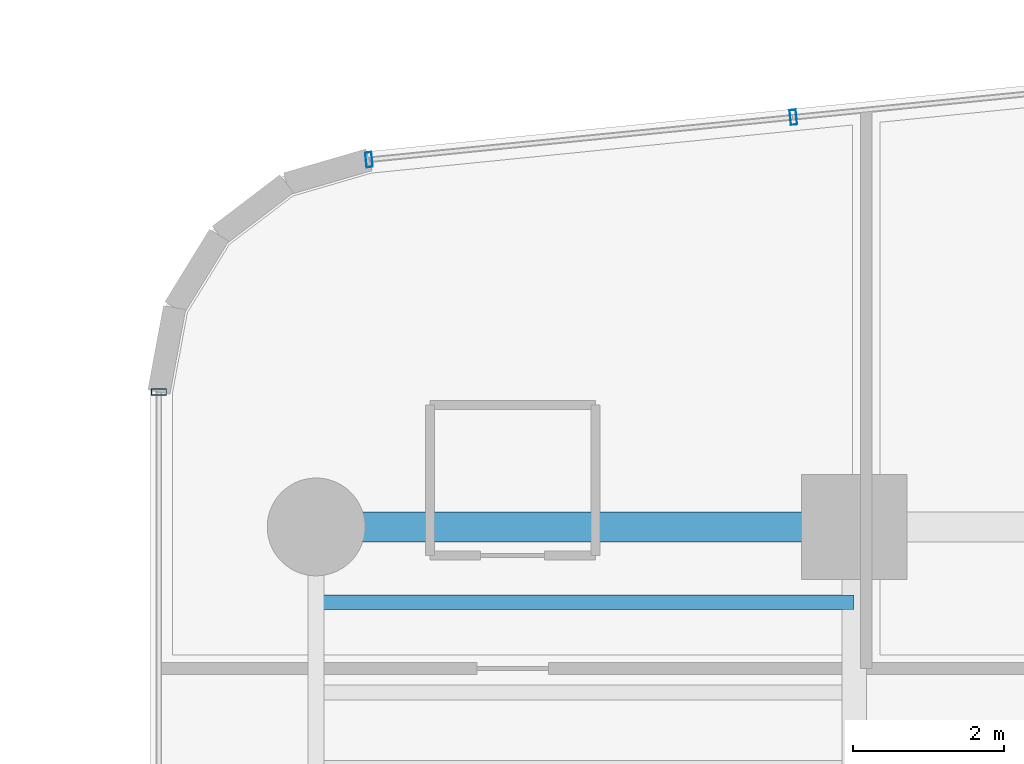
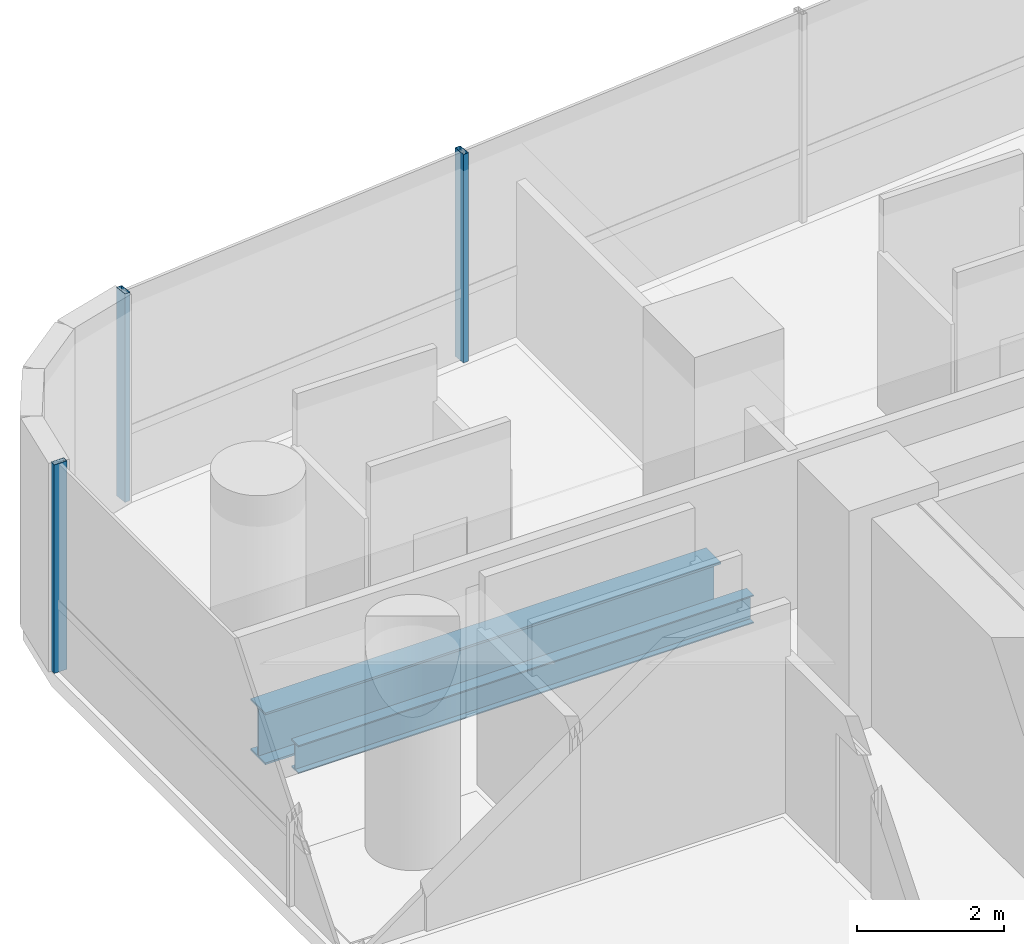
# One storey, part 18 of 40: 3 members, 2 beams, 2 elements without a shape of their own.
"""IFC4 building model written with IfcOpenShell, lengths in metres."""

from ifc_helpers import new_model, si_unit, direction, frame, origin, origin_2d, place, context, subcontext, project, spatial, hollow_rectangle, i_section, extrude, source, transform, mapped, material, material_profile, profile_set, type_object, element, aggregate, save


model = new_model("IFC4")

# Units and contexts
model_context = context("Model", 3, precision=1e-05, world=origin(), true_north=direction((0.0, 1.0)))
body_context = subcontext(model_context, "Body", "Model", "MODEL_VIEW")
ifc_project = project(units=[si_unit("LENGTHUNIT", "METRE"), si_unit("AREAUNIT", "SQUARE_METRE"), si_unit("VOLUMEUNIT", "CUBIC_METRE"), si_unit("PLANEANGLEUNIT", "RADIAN"), si_unit("MASSUNIT", "GRAM", prefix="KILO")], contexts=[model_context])

# Site, building, storey
site_placement = place(None, origin())
site = spatial("IfcSite", under=ifc_project, at=site_placement, CompositionType="ELEMENT")
building_placement = place(site_placement, origin())
building = spatial("IfcBuilding", under=site, at=building_placement, Name="Valdorenza Pilgrim Sanctuary Tower", CompositionType="ELEMENT")
storey_placement = place(building_placement, frame((0.0, 0.0, 92.60009765625)))
storey = spatial("IfcBuildingStorey", under=building, at=storey_placement, Name="L23", CompositionType="ELEMENT", Elevation=92.60009765625)

# Beams
ifc_material_1 = material(Name="Steel ASTM A992 Grade 50", Category="steel")
ifc_material_profile_1 = material_profile(ifc_material_1, i_section(OverallWidth=0.193115234375, OverallDepth=0.466064453125, WebThickness=0.011474609375, FlangeThickness=0.01904296875, at=origin_2d()), Name="W18X65")
ifc_profile_set_1 = profile_set([ifc_material_profile_1], Name="Steel ASTM A992 Grade 50")
beam_type_1 = type_object("IfcBeamType", Name="STR-BM-JST-W18A", PredefinedType="JOIST", material=ifc_profile_set_1)
shared_shape_1 = source(origin(), body_context, "Body", "SweptSolid", [
    extrude(i_section(OverallWidth=0.193115234375, OverallDepth=0.466064453125, WebThickness=0.011474609375, FlangeThickness=0.01904296875, at=origin_2d()), origin(), (0.0, 0.0, 1.0), 7.150146484375),
])
beam_1_placement = place(storey_placement, frame((-29.800048828125, 13.800048828125, -0.47314453125), z_axis=(1.0, 0.0, 0.0), x_axis=(0.0, 1.0, 0.0)))
element("IfcBeam", 1, at=beam_1_placement, inside=storey, type_object=beam_type_1, Name="L23 Composite Floor Joist JST-WA-26", PredefinedType="JOIST", context=body_context, shape_type="MappedRepresentation", body=[
    mapped(shared_shape_1, transform((0.0, 0.0, 0.0), x_axis=(1.0, 0.0, 0.0), y_axis=(0.0, 1.0, 0.0), z_axis=(0.0, 0.0, 1.0), scale=1.0)),
])
ifc_material_profile_2 = material_profile(ifc_material_1, i_section(OverallWidth=0.39990234375, OverallDepth=0.862060546875, WebThickness=0.019775390625, FlangeThickness=0.032470703125, at=origin_2d()), Name="W33X221")
ifc_profile_set_2 = profile_set([ifc_material_profile_2], Name="Steel ASTM A992 Grade 50")
beam_type_2 = type_object("IfcBeamType", Name="STR-BM-GRD-W33", PredefinedType="BEAM", material=ifc_profile_set_2)
shared_shape_2 = source(origin(), body_context, "Body", "SweptSolid", [
    extrude(i_section(OverallWidth=0.39990234375, OverallDepth=0.862060546875, WebThickness=0.019775390625, FlangeThickness=0.032470703125, at=origin_2d()), origin(), (0.0, 0.0, 1.0), 7.150146484375),
])
beam_2_placement = place(storey_placement, frame((-29.800048828125, 14.800048828125, -0.671142578125), z_axis=(1.0, 0.0, 0.0), x_axis=(0.0, 1.0, 0.0)))
element("IfcBeam", 2, at=beam_2_placement, inside=storey, type_object=beam_type_2, Name="L23 Floor Girder WA-XW-N2", PredefinedType="BEAM", context=body_context, shape_type="MappedRepresentation", body=[
    mapped(shared_shape_2, transform((0.0, 0.0, 0.0), x_axis=(1.0, 0.0, 0.0), y_axis=(0.0, 1.0, 0.0), z_axis=(0.0, 0.0, 1.0), scale=1.0)),
])

# Curtain wall, member
ifc_material_2 = material(Name="Curtain-wall IGU glazing", Category="glass")
curtain_wall_type = type_object("IfcCurtainWallType", Name="CW-SYS-02", PredefinedType="NOTDEFINED", material=ifc_material_2)
curtain_wall_1_placement = place(storey_placement, origin())
curtain_wall_1 = element("IfcCurtainWall", 3, at=curtain_wall_1_placement, inside=storey, type_object=curtain_wall_type, Name="L23 Curtain Wall CW-L23-1-1S2", PredefinedType="NOTDEFINED")
ifc_material_3 = material(Name="Anodised aluminium AW-6060", Category="aluminium")
ifc_material_profile_3 = material_profile(ifc_material_3, hollow_rectangle(XDim=0.0849609375, YDim=0.199951171875, WallThickness=0.0048828125, at=origin_2d()), Name="ALU-M 200x85x5")
ifc_profile_set_3 = profile_set([ifc_material_profile_3], Name="Anodised aluminium AW-6060")
member_type = type_object("IfcMemberType", Name="CW-MUL-02", PredefinedType="MULLION", material=ifc_profile_set_3)
shared_shape_3 = source(origin(), body_context, "Body", "SweptSolid", [
    extrude(hollow_rectangle(XDim=0.0849609375, YDim=0.199951171875, WallThickness=0.0048828125, at=origin_2d()), origin(), (0.0, 0.0, 1.0), 3.4599609375),
])
member_1_placement = place(storey_placement, frame((-31.889892578125, 16.593994140625, 0.0), z_axis=(0.0, 0.0, 1.0), x_axis=(0.0, 1.0, 0.0)))
member_1 = element("IfcMember", 4, at=member_1_placement, type_object=member_type, Name="CW-L23-1-1S2 Mullion 4", PredefinedType="MULLION", context=body_context, shape_type="MappedRepresentation", body=[
    mapped(shared_shape_3, transform((0.0, 0.0, 0.0), x_axis=(1.0, 0.0, 0.0), y_axis=(0.0, 1.0, 0.0), z_axis=(0.0, 0.0, 1.0), scale=1.0)),
])
aggregate(curtain_wall_1, [member_1])

# Curtain wall, members
curtain_wall_2_placement = place(storey_placement, origin())
curtain_wall_2 = element("IfcCurtainWall", 5, at=curtain_wall_2_placement, inside=storey, type_object=curtain_wall_type, Name="L23 Curtain Wall CW-L23-1-6", PredefinedType="NOTDEFINED")
member_2_placement = place(storey_placement, frame((-29.097412109375, 19.6796875, 0.0), z_axis=(0.0, 0.0, 1.0), x_axis=(0.995038220239, 0.099493418189, 0.0)))
member_2 = element("IfcMember", 6, at=member_2_placement, type_object=member_type, Name="CW-L23-1-6 Mullion 1", PredefinedType="MULLION", context=body_context, shape_type="MappedRepresentation", body=[
    mapped(shared_shape_3, transform((0.0, 0.0, 0.0), x_axis=(1.0, 0.0, 0.0), y_axis=(0.0, 1.0, 0.0), z_axis=(0.0, 0.0, 1.0), scale=1.0)),
])
member_3_placement = place(storey_placement, frame((-23.458984375, 20.24365234375, 0.0), z_axis=(0.0, 0.0, 1.0), x_axis=(0.995038220239, 0.099493418189, 0.0)))
member_3 = element("IfcMember", 7, at=member_3_placement, type_object=member_type, Name="CW-L23-1-6 Mullion 2", PredefinedType="MULLION", context=body_context, shape_type="MappedRepresentation", body=[
    mapped(shared_shape_3, transform((0.0, 0.0, 0.0), x_axis=(1.0, 0.0, 0.0), y_axis=(0.0, 1.0, 0.0), z_axis=(0.0, 0.0, 1.0), scale=1.0)),
])
aggregate(curtain_wall_2, [member_2, member_3])

save(model, "model.ifc")
